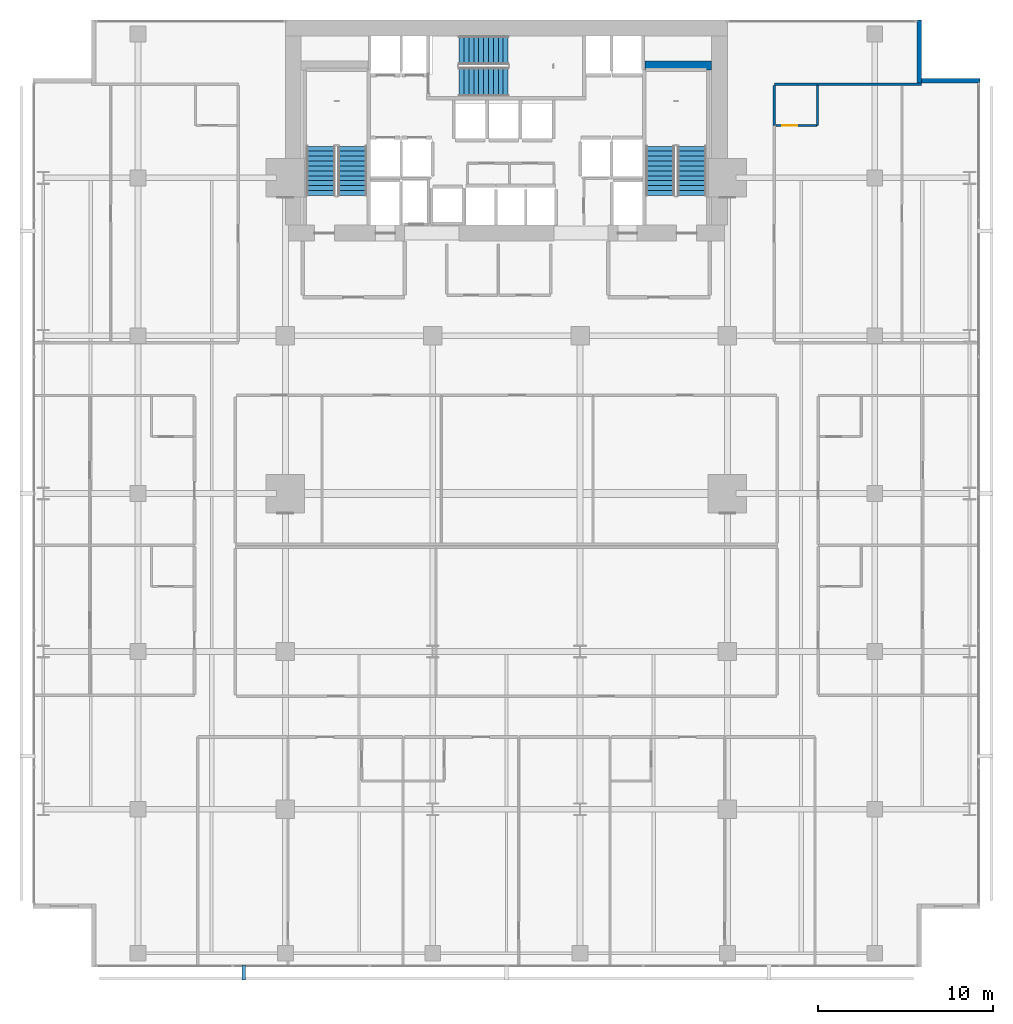
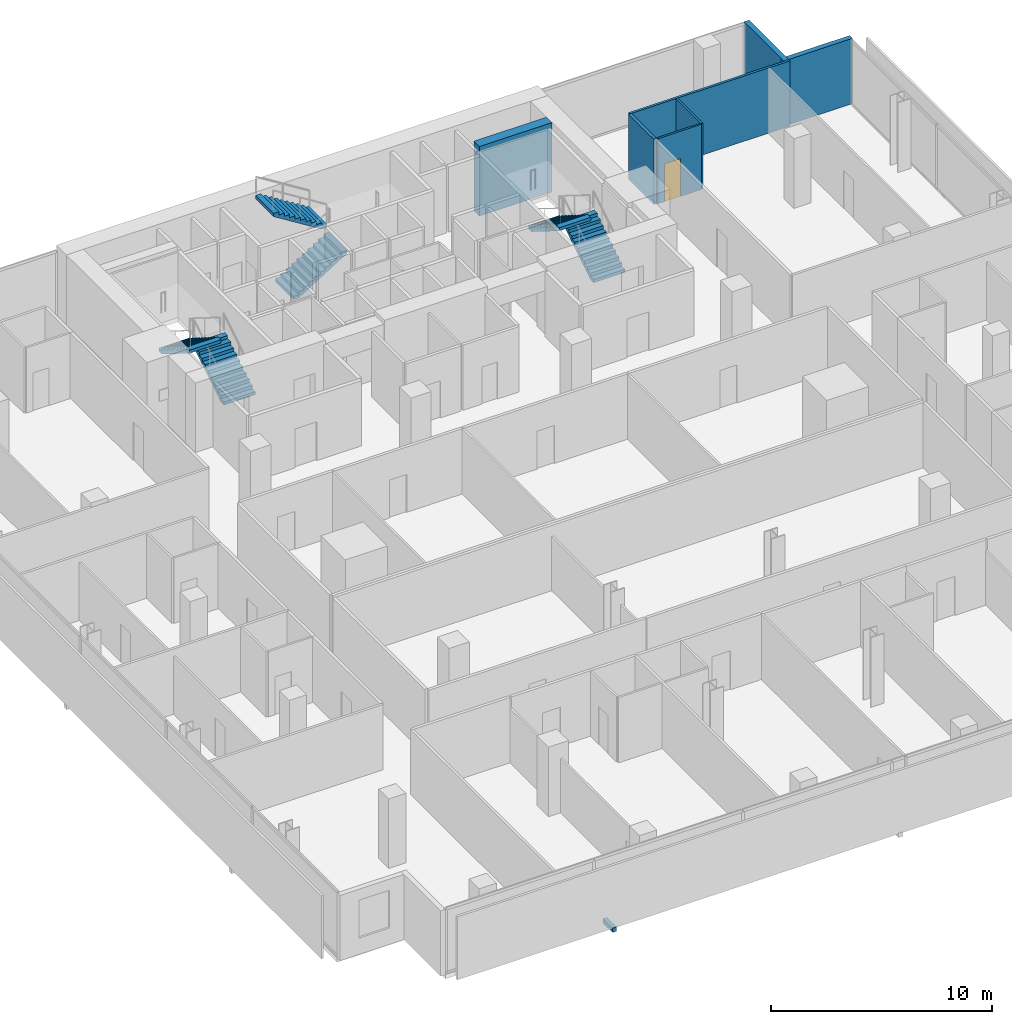
# One storey, part 37 of 40: 7 walls, 6 stair flights, 1 discrete accessory, 1 door, 1 opening, 3 elements without a shape of their own.
"""IFC4 building model written with IfcOpenShell, lengths in metres."""

from ifc_helpers import new_model, si_unit, direction, frame, frame_2d, origin, origin_2d, place, context, subcontext, project, spatial, polyline, rectangle, outline, extrude, material, layer, layer_set, type_object, element, fill, aggregate, save


model = new_model("IFC4")

# Units and contexts
model_context = context("Model", 3, precision=1e-05, world=origin(), true_north=direction((0.0, 1.0)))
body_context = subcontext(model_context, "Body", "Model", "MODEL_VIEW")
ifc_project = project(units=[si_unit("LENGTHUNIT", "METRE"), si_unit("AREAUNIT", "SQUARE_METRE"), si_unit("VOLUMEUNIT", "CUBIC_METRE"), si_unit("PLANEANGLEUNIT", "RADIAN"), si_unit("MASSUNIT", "GRAM", prefix="KILO")], contexts=[model_context])

# Site, building, storey
site_placement = place(None, origin())
site = spatial("IfcSite", under=ifc_project, at=site_placement, CompositionType="ELEMENT")
building_placement = place(site_placement, origin())
building = spatial("IfcBuilding", under=site, at=building_placement, Name="Maruvema Waterfront Hotel and Observation Tower", CompositionType="ELEMENT")
storey_placement = place(building_placement, frame((0.0, 0.0, 73.14990234375)))
storey = spatial("IfcBuildingStorey", under=building, at=storey_placement, Name="L17", CompositionType="ELEMENT", Elevation=73.14990234375)

# Walls
ifc_material_1 = material(Name="Twin-stud acoustic gypsum drywall", Category="gypsum")
ifc_layer_1 = layer(ifc_material_1, 0.14990234375, Name="Acoustic Corridor and Suite Demising Wall 150 mm")
ifc_layer_set_1 = layer_set([ifc_layer_1], Name="Twin-stud acoustic gypsum drywall")
wall_type_1 = type_object("IfcWallType", Name="Acoustic Corridor and Suite Demising Wall 150 mm", PredefinedType="PARTITIONING", material=ifc_layer_set_1)
wall_1_placement = place(storey_placement, frame((53.080078125, 47.987548828125, 0.0), z_axis=(0.0, 0.0, 1.0), x_axis=(0.0, 1.0, 0.0)))
element("IfcWall", 1, at=wall_1_placement, inside=storey, type_object=wall_type_1, Name="L17 Bath L17-NE1 Wall 096", PredefinedType="PARTITIONING", context=body_context, shape_type="SweptSolid", body=[
    extrude(rectangle(XDim=2.2900390625, YDim=0.14990234375, at=frame_2d((1.14501953125, 0.0))), origin(), (0.0, 0.0, 1.0), 3.610107421875),
])
ifc_material_2 = material(Name="Concrete C70/85", Category="concrete")
ifc_layer_2 = layer(ifc_material_2, 0.5, Name="Core Shear Wall 500 mm")
ifc_layer_set_2 = layer_set([ifc_layer_2], Name="Concrete C70/85")
wall_type_2 = type_object("IfcWallType", Name="Core Shear Wall 500 mm", PredefinedType="SHEAR", material=ifc_layer_set_2)
wall_2_placement = place(storey_placement, frame((45.699951171875, 51.39990234375, 0.0), z_axis=(0.0, 0.0, 1.0), x_axis=(1.0, 0.0, 0.0)))
element("IfcWall", 2, at=wall_2_placement, inside=storey, type_object=wall_type_2, Name="L17 Internal Core Shear Wall NE 500 mm", PredefinedType="SHEAR", context=body_context, shape_type="SweptSolid", body=[
    extrude(rectangle(XDim=3.800048828125, YDim=0.5, at=frame_2d((1.89990234375, 0.0))), origin(), (0.0, 0.0, 1.0), 3.85009765625),
])
ifc_material_3 = material(Name="Moisture-resistant cement-board drywall", Category="gypsum")
ifc_layer_3 = layer(ifc_material_3, 0.10009765625, Name="En-Suite Moisture-Resistant Partition 100 mm")
ifc_layer_set_3 = layer_set([ifc_layer_3], Name="Moisture-resistant cement-board drywall")
wall_type_3 = type_object("IfcWallType", Name="En-Suite Moisture-Resistant Partition 100 mm", PredefinedType="PARTITIONING", material=ifc_layer_set_3)
wall_3_placement = place(storey_placement, frame((55.530029296875, 47.987548828125, 0.0), z_axis=(0.0, 0.0, 1.0), x_axis=(0.0, 1.0, 0.0)))
element("IfcWall", 3, at=wall_3_placement, inside=storey, type_object=wall_type_3, Name="L17 En-Suite L17-NE1 E 097", PredefinedType="PARTITIONING", context=body_context, shape_type="SweptSolid", body=[
    extrude(rectangle(XDim=2.2900390625, YDim=0.10009765625, at=frame_2d((1.14501953125, 0.0))), origin(), (0.0, 0.0, 1.0), 3.610107421875),
])

# Wall, opening, door
wall_4_placement = place(storey_placement, frame((53.179931640625, 47.987548828125, 0.0), z_axis=(0.0, 0.0, 1.0), x_axis=(1.0, 0.0, 0.0)))
wall_4 = element("IfcWall", 4, at=wall_4_placement, inside=storey, type_object=wall_type_3, Name="L17 En-Suite L17-NE1 S 098", PredefinedType="PARTITIONING", context=body_context, shape_type="SweptSolid", body=[
    extrude(rectangle(XDim=2.300048828125, YDim=0.10009765625, at=frame_2d((1.14990234375, 0.0))), origin(), (0.0, 0.0, 1.0), 3.610107421875),
])
opening_placement = place(wall_4_placement, frame((0.35009765625, 0.0, 0.0)))
opening = element("IfcOpeningElement", 5, at=opening_placement, cuts=wall_4, Name="Opening DR-085", PredefinedType="OPENING", context=body_context, shape_type="SweptSolid", body=[
    extrude(rectangle(XDim=0.85009765625, YDim=2.10009765625, at=frame_2d((0.425048828125, 1.050048828125))), frame((0.0, 0.06005859375, 0.0), z_axis=(0.0, -1.0, 0.0), x_axis=(1.0, 0.0, 0.0)), (0.0, 0.0, 1.0), 0.1201171875),
])
ifc_material_4 = material(Name="Moisture-resistant solid timber leaf", Category="wood")
door_type = type_object("IfcDoorType", Name="En-Suite Bathroom Door 850x2100 mm", OperationType="NOTDEFINED", PredefinedType="DOOR", material=ifc_material_4)
door_placement = place(opening_placement, frame((0.85009765625, 0.0, 0.0), z_axis=(0.0, 0.0, 1.0), x_axis=(-1.0, 0.0, 0.0)))
door = element("IfcDoor", 6, at=door_placement, inside=storey, type_object=door_type, Name="L17 En-Suite L17-NE1 Door", OperationType="SINGLE_SWING_RIGHT", OverallHeight=2.10009765625, OverallWidth=0.85009765625, PredefinedType="DOOR", context=body_context, shape_type="SweptSolid", body=[
    extrude(rectangle(XDim=0.85009765625, YDim=2.10009765625, at=frame_2d((0.425048828125, 1.050048828125))), frame((0.0, 0.02490234375, 0.0), z_axis=(0.0, -1.0, 0.0), x_axis=(1.0, 0.0, 0.0)), (0.0, 0.0, 1.0), 0.050048828125),
])
fill(opening, door)

# Walls
ifc_material_5 = material(Name="Precast concrete C45/55 with honed Pernambuco granite facing", Category="masonry")
ifc_layer_4 = layer(ifc_material_5, 0.260009765625, Name="Exterior Granite Clad Spandrel and Pier Wall 260 mm")
ifc_layer_set_4 = layer_set([ifc_layer_4], Name="Precast concrete C45/55 with honed Pernambuco granite facing")
wall_type_4 = type_object("IfcWallType", Name="Exterior Granite Clad Spandrel and Pier Wall 260 mm", PredefinedType="SOLIDWALL", material=ifc_layer_set_4)
for number, where, z_axis, x_axis, name in (
    (7, (61.330078125, 54.0, 0.0), (0.0, 0.0, 1.0), (0.0, -1.0, 0.0), "L17 Corner Notch Granite Pier Wall NE1"),
    (8, (61.199951171875, 50.530029296875, 0.0), (0.0, 0.0, 1.0), (1.0, 0.0, 0.0), "L17 Corner Notch Granite Pier Wall NE2"),
):
    element("IfcWall", number, at=place(storey_placement, frame(where, z_axis=z_axis, x_axis=x_axis)), inside=storey, type_object=wall_type_4, Name=name, PredefinedType="SOLIDWALL", context=body_context, shape_type="SweptSolid", body=[
        extrude(rectangle(XDim=3.60009765625, YDim=0.260009765625, at=frame_2d((1.800048828125, 0.0))), origin(), (0.0, 0.0, 1.0), 3.610107421875),
    ])
ifc_material_6 = material(Name="Acoustic gypsum plasterboard drywall", Category="gypsum")
ifc_layer_5 = layer(ifc_material_6, 0.125, Name="Guestroom Acoustic Demising Wall 125 mm")
ifc_layer_set_5 = layer_set([ifc_layer_5], Name="Acoustic gypsum plasterboard drywall")
wall_type_5 = type_object("IfcWallType", Name="Guestroom Acoustic Demising Wall 125 mm", PredefinedType="PARTITIONING", material=ifc_layer_set_5)
wall_5_placement = place(storey_placement, frame((53.080078125, 50.33740234375, 0.0), z_axis=(0.0, 0.0, 1.0), x_axis=(1.0, 0.0, 0.0)))
element("IfcWall", 9, at=wall_5_placement, inside=storey, type_object=wall_type_5, Name="L17 NE Top End 089", PredefinedType="PARTITIONING", context=body_context, shape_type="SweptSolid", body=[
    extrude(rectangle(XDim=8.3798828125, YDim=0.125, at=frame_2d((4.18994140625, 0.0))), origin(), (0.0, 0.0, 1.0), 3.610107421875),
])

# Stair, stair flights
ifc_material_7 = material(Name="Concrete C50/60", Category="concrete")
stair_type = type_object("IfcStairType", Name="Dogleg Exit Stair 1650 mm (22R x 175.0 mm)", PredefinedType="HALF_TURN_STAIR", material=ifc_material_7)
stair_1_placement = place(storey_placement, origin())
stair_1 = element("IfcStair", 10, at=stair_1_placement, inside=storey, type_object=stair_type, Name="L17 ST-01", PredefinedType="HALF_TURN_STAIR")
ifc_material_8 = material(Name="Concrete C50/60", Category="concrete")
stair_flight_type = type_object("IfcStairFlightType", Name="Reinforced Concrete Stair Flight 1650 mm (11R x 175.0 mm)", PredefinedType="STRAIGHT", material=ifc_material_8)
stair_flight_1_placement = place(storey_placement, frame((29.02490234375, 44.0, 0.0), z_axis=(0.0, 0.0, 1.0), x_axis=(0.0, 1.0, 0.0)))
stair_flight_1 = element("IfcStairFlight", 11, at=stair_flight_1_placement, type_object=stair_flight_type, Name="ST-01 flight 1", NumberOfRisers=11, NumberOfTreads=10, PredefinedType="STRAIGHT", RiserHeight=0.175, TreadLength=0.28, context=body_context, shape_type="SweptSolid", body=[
    extrude(outline(polyline([(0.0, 0.0), (0.0, 0.175048828125), (0.280029296875, 0.175048828125), (0.280029296875, 0.35009765625), (0.56005859375, 0.35009765625), (0.56005859375, 0.52490234375), (0.840087890625, 0.52490234375), (0.840087890625, 0.699951171875), (1.1201171875, 0.699951171875), (1.1201171875, 0.875), (1.39990234375, 0.875), (1.39990234375, 1.050048828125), (1.679931640625, 1.050048828125), (1.679931640625, 1.22509765625), (1.9599609375, 1.22509765625), (1.9599609375, 1.39990234375), (2.239990234375, 1.39990234375), (2.239990234375, 1.574951171875), (2.52001953125, 1.574951171875), (2.52001953125, 1.75), (2.800048828125, 1.75), (2.800048828125, 1.925048828125), (2.800048828125, 1.5732421875), (0.28271484375, 0.0), (0.0, 0.0)])), frame((0.0, 0.824951171875, 0.0), z_axis=(0.0, -1.0, 0.0), x_axis=(1.0, 0.0, 0.0)), (0.0, 0.0, 1.0), 1.64990234375),
])
stair_flight_2_placement = place(storey_placement, frame((27.22509765625, 46.800048828125, 1.925048828125), z_axis=(0.0, 0.0, 1.0), x_axis=(0.0, -1.0, 0.0)))
stair_flight_2 = element("IfcStairFlight", 12, at=stair_flight_2_placement, type_object=stair_flight_type, Name="ST-01 flight 2", NumberOfRisers=11, NumberOfTreads=10, PredefinedType="STRAIGHT", RiserHeight=0.175, TreadLength=0.28, context=body_context, shape_type="SweptSolid", body=[
    extrude(outline(polyline([(0.0, 0.0), (0.0, 0.175048828125), (0.280029296875, 0.175048828125), (0.280029296875, 0.35009765625), (0.56005859375, 0.35009765625), (0.56005859375, 0.52490234375), (0.840087890625, 0.52490234375), (0.840087890625, 0.699951171875), (1.1201171875, 0.699951171875), (1.1201171875, 0.875), (1.39990234375, 0.875), (1.39990234375, 1.050048828125), (1.679931640625, 1.050048828125), (1.679931640625, 1.22509765625), (1.9599609375, 1.22509765625), (1.9599609375, 1.39990234375), (2.239990234375, 1.39990234375), (2.239990234375, 1.574951171875), (2.52001953125, 1.574951171875), (2.52001953125, 1.75), (2.800048828125, 1.75), (2.800048828125, 1.925048828125), (2.800048828125, 1.5732421875), (0.28271484375, 0.0), (0.0, 0.0)])), frame((0.0, 0.824951171875, 0.0), z_axis=(0.0, -1.0, 0.0), x_axis=(1.0, 0.0, 0.0)), (0.0, 0.0, 1.0), 1.64990234375),
])
aggregate(stair_1, [stair_flight_1, stair_flight_2])

stair_2_placement = place(storey_placement, origin())
stair_2 = element("IfcStair", 13, at=stair_2_placement, inside=storey, type_object=stair_type, Name="L17 ST-02", PredefinedType="HALF_TURN_STAIR")
stair_flight_3_placement = place(storey_placement, frame((35.10009765625, 50.47509765625, 0.0), z_axis=(0.0, 0.0, 1.0), x_axis=(1.0, 0.0, 0.0)))
stair_flight_3 = element("IfcStairFlight", 14, at=stair_flight_3_placement, type_object=stair_flight_type, Name="ST-02 flight 1", NumberOfRisers=11, NumberOfTreads=10, PredefinedType="STRAIGHT", RiserHeight=0.175, TreadLength=0.28, context=body_context, shape_type="SweptSolid", body=[
    extrude(outline(polyline([(0.0, 0.0), (0.0, 0.175048828125), (0.280029296875, 0.175048828125), (0.280029296875, 0.35009765625), (0.56005859375, 0.35009765625), (0.56005859375, 0.52490234375), (0.840087890625, 0.52490234375), (0.840087890625, 0.699951171875), (1.1201171875, 0.699951171875), (1.1201171875, 0.875), (1.39990234375, 0.875), (1.39990234375, 1.050048828125), (1.679931640625, 1.050048828125), (1.679931640625, 1.22509765625), (1.9599609375, 1.22509765625), (1.9599609375, 1.39990234375), (2.239990234375, 1.39990234375), (2.239990234375, 1.574951171875), (2.52001953125, 1.574951171875), (2.52001953125, 1.75), (2.800048828125, 1.75), (2.800048828125, 1.925048828125), (2.800048828125, 1.5732421875), (0.28271484375, 0.0), (0.0, 0.0)])), frame((0.0, 0.824951171875, 0.0), z_axis=(0.0, -1.0, 0.0), x_axis=(1.0, 0.0, 0.0)), (0.0, 0.0, 1.0), 1.64990234375),
])
stair_flight_4_placement = place(storey_placement, frame((37.89990234375, 52.27490234375, 1.925048828125), z_axis=(0.0, 0.0, 1.0), x_axis=(-1.0, 0.0, 0.0)))
stair_flight_4 = element("IfcStairFlight", 15, at=stair_flight_4_placement, type_object=stair_flight_type, Name="ST-02 flight 2", NumberOfRisers=11, NumberOfTreads=10, PredefinedType="STRAIGHT", RiserHeight=0.175, TreadLength=0.28, context=body_context, shape_type="SweptSolid", body=[
    extrude(outline(polyline([(0.0, 0.0), (0.0, 0.175048828125), (0.280029296875, 0.175048828125), (0.280029296875, 0.35009765625), (0.56005859375, 0.35009765625), (0.56005859375, 0.52490234375), (0.840087890625, 0.52490234375), (0.840087890625, 0.699951171875), (1.1201171875, 0.699951171875), (1.1201171875, 0.875), (1.39990234375, 0.875), (1.39990234375, 1.050048828125), (1.679931640625, 1.050048828125), (1.679931640625, 1.22509765625), (1.9599609375, 1.22509765625), (1.9599609375, 1.39990234375), (2.239990234375, 1.39990234375), (2.239990234375, 1.574951171875), (2.52001953125, 1.574951171875), (2.52001953125, 1.75), (2.800048828125, 1.75), (2.800048828125, 1.925048828125), (2.800048828125, 1.5732421875), (0.28271484375, 0.0), (0.0, 0.0)])), frame((0.0, 0.824951171875, 0.0), z_axis=(0.0, -1.0, 0.0), x_axis=(1.0, 0.0, 0.0)), (0.0, 0.0, 1.0), 1.64990234375),
])
aggregate(stair_2, [stair_flight_3, stair_flight_4])

stair_3_placement = place(storey_placement, origin())
stair_3 = element("IfcStair", 16, at=stair_3_placement, inside=storey, type_object=stair_type, Name="L17 ST-03", PredefinedType="HALF_TURN_STAIR")
stair_flight_5_placement = place(storey_placement, frame((48.375, 44.0, 0.0), z_axis=(0.0, 0.0, 1.0), x_axis=(0.0, 1.0, 0.0)))
stair_flight_5 = element("IfcStairFlight", 17, at=stair_flight_5_placement, type_object=stair_flight_type, Name="ST-03 flight 1", NumberOfRisers=11, NumberOfTreads=10, PredefinedType="STRAIGHT", RiserHeight=0.175, TreadLength=0.28, context=body_context, shape_type="SweptSolid", body=[
    extrude(outline(polyline([(0.0, 0.0), (0.0, 0.175048828125), (0.280029296875, 0.175048828125), (0.280029296875, 0.35009765625), (0.56005859375, 0.35009765625), (0.56005859375, 0.52490234375), (0.840087890625, 0.52490234375), (0.840087890625, 0.699951171875), (1.1201171875, 0.699951171875), (1.1201171875, 0.875), (1.39990234375, 0.875), (1.39990234375, 1.050048828125), (1.679931640625, 1.050048828125), (1.679931640625, 1.22509765625), (1.9599609375, 1.22509765625), (1.9599609375, 1.39990234375), (2.239990234375, 1.39990234375), (2.239990234375, 1.574951171875), (2.52001953125, 1.574951171875), (2.52001953125, 1.75), (2.800048828125, 1.75), (2.800048828125, 1.925048828125), (2.800048828125, 1.5732421875), (0.28271484375, 0.0), (0.0, 0.0)])), frame((0.0, 0.824951171875, 0.0), z_axis=(0.0, -1.0, 0.0), x_axis=(1.0, 0.0, 0.0)), (0.0, 0.0, 1.0), 1.64990234375),
])
stair_flight_6_placement = place(storey_placement, frame((46.574951171875, 46.800048828125, 1.925048828125), z_axis=(0.0, 0.0, 1.0), x_axis=(0.0, -1.0, 0.0)))
stair_flight_6 = element("IfcStairFlight", 18, at=stair_flight_6_placement, type_object=stair_flight_type, Name="ST-03 flight 2", NumberOfRisers=11, NumberOfTreads=10, PredefinedType="STRAIGHT", RiserHeight=0.175, TreadLength=0.28, context=body_context, shape_type="SweptSolid", body=[
    extrude(outline(polyline([(0.0, 0.0), (0.0, 0.175048828125), (0.280029296875, 0.175048828125), (0.280029296875, 0.35009765625), (0.56005859375, 0.35009765625), (0.56005859375, 0.52490234375), (0.840087890625, 0.52490234375), (0.840087890625, 0.699951171875), (1.1201171875, 0.699951171875), (1.1201171875, 0.875), (1.39990234375, 0.875), (1.39990234375, 1.050048828125), (1.679931640625, 1.050048828125), (1.679931640625, 1.22509765625), (1.9599609375, 1.22509765625), (1.9599609375, 1.39990234375), (2.239990234375, 1.39990234375), (2.239990234375, 1.574951171875), (2.52001953125, 1.574951171875), (2.52001953125, 1.75), (2.800048828125, 1.75), (2.800048828125, 1.925048828125), (2.800048828125, 1.5732421875), (0.28271484375, 0.0), (0.0, 0.0)])), frame((0.0, 0.824951171875, 0.0), z_axis=(0.0, -1.0, 0.0), x_axis=(1.0, 0.0, 0.0)), (0.0, 0.0, 1.0), 1.64990234375),
])
aggregate(stair_3, [stair_flight_5, stair_flight_6])

# Discrete accessory
ifc_material_9 = material(Name="Duplex stainless steel Grade 2205", Category="steel")
discrete_accessory_type = type_object("IfcDiscreteAccessoryType", Name="Double-Skin Cavity Stainless Outrigger Bracket", PredefinedType="BRACKET", material=ifc_material_9)
discrete_accessory_placement = place(storey_placement, frame((22.823974609375, -0.300048828125, -0.14013671875), z_axis=(0.0, 0.0, 1.0), x_axis=(1.0, 0.0, 0.0)))
element("IfcDiscreteAccessory", 19, at=discrete_accessory_placement, inside=storey, type_object=discrete_accessory_type, Name="L17 Outer Skin Support Bracket 1", PredefinedType="BRACKET", context=body_context, shape_type="SweptSolid", body=[
    extrude(rectangle(XDim=0.219970703125, YDim=0.860107421875, at=origin_2d()), origin(), (0.0, 0.0, 1.0), 0.239990234375),
])

save(model, "model.ifc")
